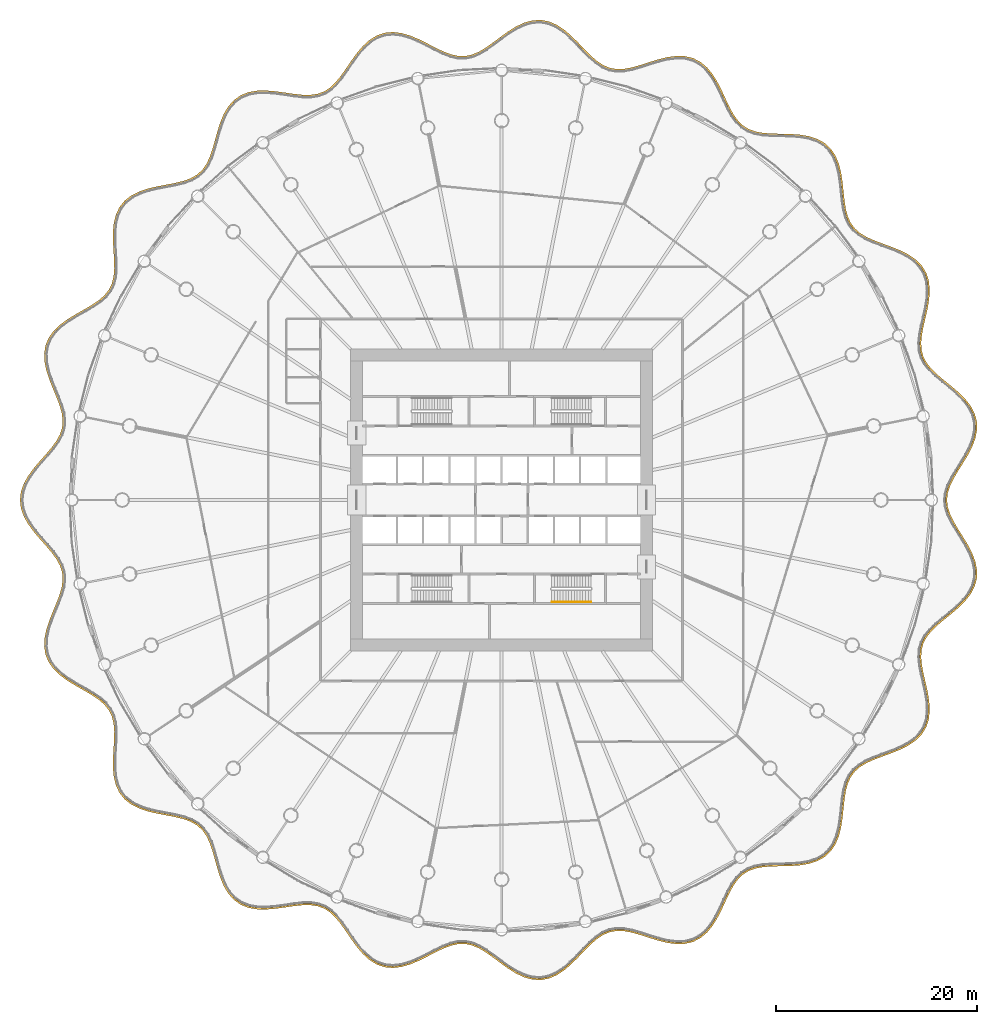
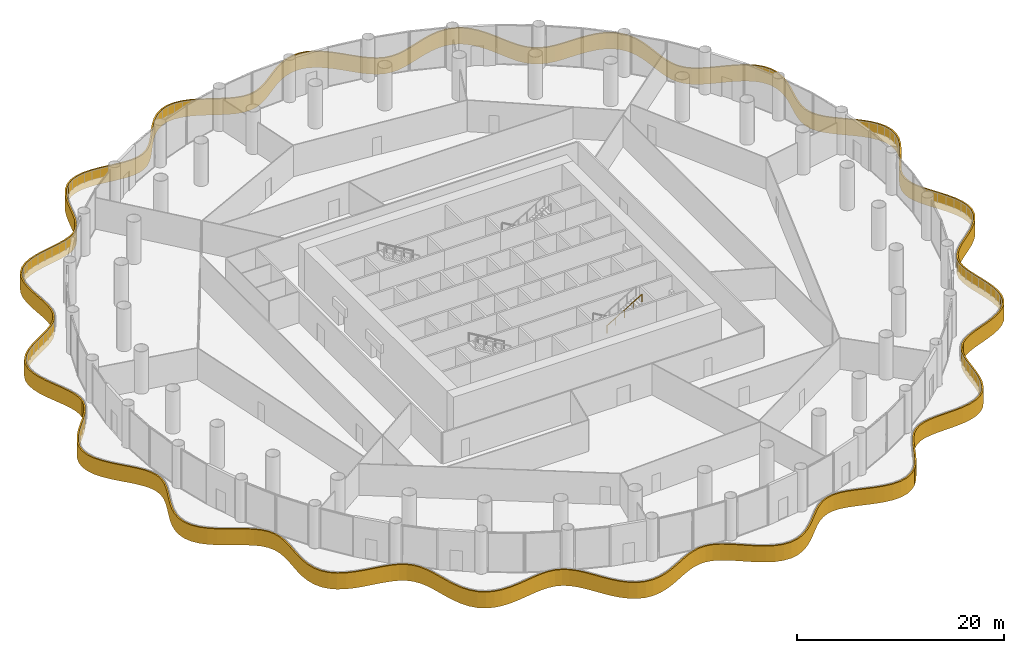
# One storey, part 31 of 35: 1 covering, 1 railing.
"""IFC4 building model written with IfcOpenShell, lengths in metres."""

from ifc_helpers import new_model, si_unit, direction, frame, origin, origin_2d, place, context, subcontext, project, spatial, polyline, circle, outline, extrude, material, layer, layer_set, type_object, element, save


model = new_model("IFC4")

# Units and contexts
model_context = context("Model", 3, precision=1e-05, world=origin(), true_north=direction((0.0, 1.0)))
body_context = subcontext(model_context, "Body", "Model", "MODEL_VIEW")
ifc_project = project(units=[si_unit("LENGTHUNIT", "METRE"), si_unit("AREAUNIT", "SQUARE_METRE"), si_unit("VOLUMEUNIT", "CUBIC_METRE"), si_unit("PLANEANGLEUNIT", "RADIAN"), si_unit("MASSUNIT", "GRAM", prefix="KILO")], contexts=[model_context])

# Site, building, storey
site_placement = place(None, origin())
site = spatial("IfcSite", under=ifc_project, at=site_placement, CompositionType="ELEMENT")
building_placement = place(site_placement, origin())
building = spatial("IfcBuilding", under=site, at=building_placement, Name="Corvane Civic Tower", CompositionType="ELEMENT")
storey_placement = place(building_placement, frame((0.0, 0.0, 22.0)))
storey = spatial("IfcBuildingStorey", under=building, at=storey_placement, Name="L04", CompositionType="ELEMENT", Elevation=22.0)

# Covering
ifc_material_1 = material(Name="Anodised aluminium brass", Category="aluminium")
ifc_layer = layer(ifc_material_1, 0.159912109375)
ifc_layer_set = layer_set([ifc_layer], Name="Anodised aluminium brass")
covering_type = type_object("IfcCoveringType", Name="PODIUM-COV-FASCIA-L04", PredefinedType="CLADDING", material=ifc_layer_set)
covering_placement = place(storey_placement, frame((0.0, 0.0, -0.800048828125)))
element("IfcCovering", 1, at=covering_placement, inside=storey, type_object=covering_type, Name="L04 ribbon fascia", PredefinedType="CLADDING", context=body_context, shape_type="SweptSolid", body=[
    extrude(outline(polyline([(0.67138671875, 46.57763671875), (-0.094482421875, 46.02880859375), (-0.836181640625, 45.472412109375), (-1.55517578125, 44.961669921875), (-2.253662109375, 44.543701171875), (-2.9384765625, 44.25439453125), (-3.619140625, 44.11279296875), (-4.311279296875, 44.12451171875), (-5.031005859375, 44.28271484375), (-5.78515625, 44.568115234375), (-6.57470703125, 44.94677734375), (-7.39501953125, 45.37158203125), (-8.23876953125, 45.790283203125), (-9.09619140625, 46.14990234375), (-9.955322265625, 46.40087890625), (-10.80322265625, 46.50244140625), (-11.623291015625, 46.42578125), (-12.3984375, 46.160888671875), (-13.115478515625, 45.718994140625), (-13.770263671875, 45.12841796875), (-14.369140625, 44.4287109375), (-14.9228515625, 43.667724609375), (-15.447509765625, 42.896240234375), (-15.961181640625, 42.1650390625), (-16.482666015625, 41.519775390625), (-17.02880859375, 40.995361328125), (-17.6162109375, 40.610595703125), (-18.260498046875, 40.367431640625), (-18.976318359375, 40.257568359375), (-19.767333984375, 40.261962890625), (-20.625, 40.3505859375), (-21.531494140625, 40.483154296875), (-22.46337890625, 40.612060546875), (-23.394775390625, 40.690185546875), (-24.29833984375, 40.67333984375), (-25.1474609375, 40.525390625), (-25.91796875, 40.221435546875), (-26.588134765625, 39.7529296875), (-27.146484375, 39.13134765625), (-27.595458984375, 38.382568359375), (-27.951171875, 37.541015625), (-28.238525390625, 36.647216796875), (-28.488037109375, 35.743408203125), (-28.733154296875, 34.872802734375), (-29.0068359375, 34.07421875), (-29.337890625, 33.376953125), (-29.74951171875, 32.797119140625), (-30.2578125, 32.33447265625), (-30.87548828125, 31.977783203125), (-31.603271484375, 31.709228515625), (-32.42626953125, 31.505126953125), (-33.31689453125, 31.333740234375), (-34.23876953125, 31.158447265625), (-35.15185546875, 30.94287109375), (-36.016357421875, 30.6533203125), (-36.794189453125, 30.26171875), (-37.452880859375, 29.750244140625), (-37.967041015625, 29.114501953125), (-38.3251953125, 28.36669921875), (-38.53564453125, 27.5283203125), (-38.62109375, 26.626708984375), (-38.616455078125, 25.69091796875), (-38.5634765625, 24.751708984375), (-38.50732421875, 23.839599609375), (-38.4931640625, 22.981201171875), (-38.55908203125, 22.197021484375), (-38.73388671875, 21.4970703125), (-39.036376953125, 20.87890625), (-39.475830078125, 20.32861328125), (-40.050048828125, 19.82958984375), (-40.741455078125, 19.36474609375), (-41.51611328125, 18.913330078125), (-42.3291015625, 18.453125), (-43.131591796875, 17.9619140625), (-43.87353515625, 17.419921875), (-44.510009765625, 16.812255859375), (-45.001220703125, 16.13037109375), (-45.31982421875, 15.376220703125), (-45.4541015625, 14.5625), (-45.414306640625, 13.70751953125), (-45.228271484375, 12.82958984375), (-44.936279296875, 11.94580078125), (-44.5869140625, 11.07080078125), (-44.232177734375, 10.2197265625), (-43.923828125, 9.40380859375), (-43.707275390625, 8.630859375), (-43.6162109375, 7.9033203125), (-43.670166015625, 7.214111328125), (-43.875244140625, 6.548095703125), (-44.2275390625, 5.889892578125), (-44.70751953125, 5.2275390625), (-45.27978515625, 4.552490234375), (-45.896728515625, 3.858154296875), (-46.5048828125, 3.138671875), (-47.05078125, 2.391357421875), (-47.484130859375, 1.615478515625), (-47.76416015625, 0.8154296875), (-47.861083984375, 0.0), (-47.76416015625, -0.8154296875), (-47.484130859375, -1.615478515625), (-47.05078125, -2.391357421875), (-46.5048828125, -3.138671875), (-45.896728515625, -3.858154296875), (-45.27978515625, -4.552490234375), (-44.70751953125, -5.2275390625), (-44.2275390625, -5.889892578125), (-43.875244140625, -6.548095703125), (-43.670166015625, -7.214111328125), (-43.6162109375, -7.9033203125), (-43.707275390625, -8.630859375), (-43.923828125, -9.40380859375), (-44.232177734375, -10.2197265625), (-44.5869140625, -11.07080078125), (-44.936279296875, -11.94580078125), (-45.228271484375, -12.82958984375), (-45.414306640625, -13.70751953125), (-45.4541015625, -14.5625), (-45.31982421875, -15.376220703125), (-45.001220703125, -16.13037109375), (-44.510009765625, -16.812255859375), (-43.87353515625, -17.419921875), (-43.131591796875, -17.9619140625), (-42.3291015625, -18.453125), (-41.51611328125, -18.913330078125), (-40.741455078125, -19.36474609375), (-40.050048828125, -19.82958984375), (-39.475830078125, -20.32861328125), (-39.036376953125, -20.87890625), (-38.73388671875, -21.4970703125), (-38.55908203125, -22.197021484375), (-38.4931640625, -22.981201171875), (-38.50732421875, -23.839599609375), (-38.5634765625, -24.751708984375), (-38.616455078125, -25.69091796875), (-38.62109375, -26.626708984375), (-38.53564453125, -27.5283203125), (-38.3251953125, -28.36669921875), (-37.967041015625, -29.114501953125), (-37.452880859375, -29.750244140625), (-36.794189453125, -30.26171875), (-36.016357421875, -30.6533203125), (-35.15185546875, -30.94287109375), (-34.23876953125, -31.158447265625), (-33.31689453125, -31.333740234375), (-32.42626953125, -31.505126953125), (-31.603271484375, -31.709228515625), (-30.87548828125, -31.977783203125), (-30.2578125, -32.33447265625), (-29.74951171875, -32.797119140625), (-29.337890625, -33.376953125), (-29.0068359375, -34.07421875), (-28.733154296875, -34.872802734375), (-28.488037109375, -35.743408203125), (-28.238525390625, -36.647216796875), (-27.951171875, -37.541015625), (-27.595458984375, -38.382568359375), (-27.146484375, -39.13134765625), (-26.588134765625, -39.7529296875), (-25.91796875, -40.221435546875), (-25.1474609375, -40.525390625), (-24.29833984375, -40.67333984375), (-23.394775390625, -40.690185546875), (-22.46337890625, -40.612060546875), (-21.531494140625, -40.483154296875), (-20.625, -40.3505859375), (-19.767333984375, -40.261962890625), (-18.976318359375, -40.257568359375), (-18.260498046875, -40.367431640625), (-17.6162109375, -40.610595703125), (-17.02880859375, -40.995361328125), (-16.482666015625, -41.519775390625), (-15.961181640625, -42.1650390625), (-15.447509765625, -42.896240234375), (-14.9228515625, -43.667724609375), (-14.369140625, -44.4287109375), (-13.770263671875, -45.12841796875), (-13.115478515625, -45.718994140625), (-12.3984375, -46.160888671875), (-11.623291015625, -46.42578125), (-10.80322265625, -46.50244140625), (-9.955322265625, -46.40087890625), (-9.09619140625, -46.14990234375), (-8.23876953125, -45.790283203125), (-7.39501953125, -45.37158203125), (-6.57470703125, -44.94677734375), (-5.78515625, -44.568115234375), (-5.031005859375, -44.28271484375), (-4.311279296875, -44.12451171875), (-3.619140625, -44.11279296875), (-2.9384765625, -44.25439453125), (-2.253662109375, -44.543701171875), (-1.55517578125, -44.961669921875), (-0.836181640625, -45.472412109375), (-0.094482421875, -46.02880859375), (0.67138671875, -46.57763671875), (1.460205078125, -47.064453125), (2.268310546875, -47.439697265625), (3.08837890625, -47.661376953125), (3.909423828125, -47.700927734375), (4.715087890625, -47.546875), (5.491455078125, -47.210693359375), (6.230712890625, -46.7216796875), (6.9326171875, -46.12060546875), (7.600830078125, -45.45703125), (8.242919921875, -44.783935546875), (8.868896484375, -44.154296875), (9.4892578125, -43.614990234375), (10.115478515625, -43.202392578125), (10.760986328125, -42.93505859375), (11.44091796875, -42.81689453125), (12.1708984375, -42.84033203125), (12.956298828125, -42.98681640625), (13.792236328125, -43.222900390625), (14.668212890625, -43.505126953125), (15.56787109375, -43.782958984375), (16.473388671875, -44.005126953125), (17.364990234375, -44.12451171875), (18.22265625, -44.101806640625), (19.02587890625, -43.910400390625), (19.75537109375, -43.539794921875), (20.39892578125, -43.001953125), (20.956298828125, -42.32421875), (21.438720703125, -41.5439453125), (21.8642578125, -40.70556640625), (22.2568359375, -39.8564453125), (22.642333984375, -39.044189453125), (23.047119140625, -38.3115234375), (23.493896484375, -37.69140625), (24.002197265625, -37.200927734375), (24.5888671875, -36.841796875), (25.266845703125, -36.603759765625), (26.03857421875, -36.468505859375), (26.891357421875, -36.408935546875), (27.802734375, -36.388427734375), (28.742431640625, -36.365234375), (29.676513671875, -36.296142578125), (30.57080078125, -36.14208984375), (31.393798828125, -35.8701171875), (32.11572265625, -35.45849609375), (32.71337890625, -34.901123046875), (33.17626953125, -34.209228515625), (33.508544921875, -33.406494140625), (33.73095703125, -32.5244140625), (33.87353515625, -31.59814453125), (33.97314453125, -30.664306640625), (34.069580078125, -29.760009765625), (34.2021484375, -28.9189453125), (34.405029296875, -28.166259765625), (34.703857421875, -27.515625), (35.116455078125, -26.9658203125), (35.65380859375, -26.50390625), (36.315185546875, -26.11279296875), (37.083740234375, -25.772216796875), (37.92822265625, -25.455810546875), (38.8076171875, -25.133544921875), (39.676513671875, -24.77587890625), (40.48974609375, -24.35595703125), (41.205078125, -23.8515625), (41.78662109375, -23.2490234375), (42.20703125, -22.547607421875), (42.455322265625, -21.7587890625), (42.54052734375, -20.903076171875), (42.48876953125, -20.0029296875), (42.338134765625, -19.081787109375), (42.134033203125, -18.162841796875), (41.92626953125, -17.268310546875), (41.76318359375, -16.418212890625), (41.68798828125, -15.627197265625), (41.731689453125, -14.901123046875), (41.912841796875, -14.23583984375), (42.240478515625, -13.616943359375), (42.710693359375, -13.028076171875), (43.3046875, -12.45458984375), (43.987548828125, -11.8828125), (44.71240234375, -11.29736328125), (45.42724609375, -10.684326171875), (46.07958984375, -10.0322265625), (46.62109375, -9.333251953125), (47.011474609375, -8.584716796875), (47.221435546875, -7.79248046875), (47.239990234375, -6.969970703125), (47.07763671875, -6.1337890625), (46.763427734375, -5.2978515625), (46.3388671875, -4.472412109375), (45.853515625, -3.664794921875), (45.361083984375, -2.880859375), (44.914794921875, -2.1240234375), (44.56201171875, -1.39453125), (44.337646484375, -0.689453125), (44.260986328125, 0.0), (44.337646484375, 0.689453125), (44.56201171875, 1.39453125), (44.914794921875, 2.1240234375), (45.361083984375, 2.880859375), (45.853515625, 3.664794921875), (46.3388671875, 4.472412109375), (46.763427734375, 5.2978515625), (47.07763671875, 6.1337890625), (47.239990234375, 6.969970703125), (47.221435546875, 7.79248046875), (47.011474609375, 8.584716796875), (46.62109375, 9.333251953125), (46.07958984375, 10.0322265625), (45.42724609375, 10.684326171875), (44.71240234375, 11.29736328125), (43.987548828125, 11.8828125), (43.3046875, 12.45458984375), (42.710693359375, 13.028076171875), (42.240478515625, 13.616943359375), (41.912841796875, 14.23583984375), (41.731689453125, 14.901123046875), (41.68798828125, 15.627197265625), (41.76318359375, 16.418212890625), (41.92626953125, 17.268310546875), (42.134033203125, 18.162841796875), (42.338134765625, 19.081787109375), (42.48876953125, 20.0029296875), (42.54052734375, 20.903076171875), (42.455322265625, 21.7587890625), (42.20703125, 22.547607421875), (41.78662109375, 23.2490234375), (41.205078125, 23.8515625), (40.48974609375, 24.35595703125), (39.676513671875, 24.77587890625), (38.8076171875, 25.133544921875), (37.92822265625, 25.455810546875), (37.083740234375, 25.772216796875), (36.315185546875, 26.11279296875), (35.65380859375, 26.50390625), (35.116455078125, 26.9658203125), (34.703857421875, 27.515625), (34.405029296875, 28.166259765625), (34.2021484375, 28.9189453125), (34.069580078125, 29.760009765625), (33.97314453125, 30.664306640625), (33.87353515625, 31.59814453125), (33.73095703125, 32.5244140625), (33.508544921875, 33.406494140625), (33.17626953125, 34.209228515625), (32.71337890625, 34.901123046875), (32.11572265625, 35.45849609375), (31.393798828125, 35.8701171875), (30.57080078125, 36.14208984375), (29.676513671875, 36.296142578125), (28.742431640625, 36.365234375), (27.802734375, 36.388427734375), (26.891357421875, 36.408935546875), (26.03857421875, 36.468505859375), (25.266845703125, 36.603759765625), (24.5888671875, 36.841796875), (24.002197265625, 37.200927734375), (23.493896484375, 37.69140625), (23.047119140625, 38.3115234375), (22.642333984375, 39.044189453125), (22.2568359375, 39.8564453125), (21.8642578125, 40.70556640625), (21.438720703125, 41.5439453125), (20.956298828125, 42.32421875), (20.39892578125, 43.001953125), (19.75537109375, 43.539794921875), (19.02587890625, 43.910400390625), (18.22265625, 44.101806640625), (17.364990234375, 44.12451171875), (16.473388671875, 44.005126953125), (15.56787109375, 43.782958984375), (14.668212890625, 43.505126953125), (13.792236328125, 43.222900390625), (12.956298828125, 42.98681640625), (12.1708984375, 42.84033203125), (11.44091796875, 42.81689453125), (10.760986328125, 42.93505859375), (10.115478515625, 43.202392578125), (9.4892578125, 43.614990234375), (8.868896484375, 44.154296875), (8.242919921875, 44.783935546875), (7.600830078125, 45.45703125), (6.9326171875, 46.12060546875), (6.230712890625, 46.7216796875), (5.491455078125, 47.210693359375), (4.715087890625, 47.546875), (3.909423828125, 47.700927734375), (3.08837890625, 47.661376953125), (2.268310546875, 47.439697265625), (1.460205078125, 47.064453125), (0.67138671875, 46.57763671875)]), holes=[polyline([(-0.741943359375, 45.34326171875), (0.0, 45.89990234375), (0.760009765625, 46.4443359375), (1.5361328125, 46.92333984375), (2.3232421875, 47.288818359375), (3.113525390625, 47.50244140625), (3.898193359375, 47.540283203125), (4.667724609375, 47.39306640625), (5.4150390625, 47.069580078125), (6.13427734375, 46.59375), (6.823974609375, 46.0029296875), (7.486572265625, 45.344970703125), (8.12841796875, 44.67236328125), (8.759521484375, 44.037353515625), (9.392333984375, 43.4873046875), (10.040283203125, 43.060302734375), (10.716064453125, 42.780517578125), (11.4296875, 42.656494140625), (12.188232421875, 42.680908203125), (12.99267578125, 42.830810546875), (13.838623046875, 43.06982421875), (14.71630859375, 43.3525390625), (15.610595703125, 43.628662109375), (16.503173828125, 43.84765625), (17.37353515625, 43.96435546875), (18.20166015625, 43.9423828125), (18.97021484375, 43.759033203125), (19.666748046875, 43.4052734375), (20.284912109375, 42.888671875), (20.825927734375, 42.23095703125), (21.299072265625, 41.465576171875), (21.72021484375, 40.6357421875), (22.112060546875, 39.78857421875), (22.5, 38.97119140625), (22.91162109375, 38.225830078125), (23.37255859375, 37.586181640625), (23.90380859375, 37.07373046875), (24.519775390625, 36.696533203125), (25.226318359375, 36.448486328125), (26.01904296875, 36.3095703125), (26.884033203125, 36.2490234375), (27.799072265625, 36.228515625), (28.734619140625, 36.205322265625), (29.656982421875, 36.13720703125), (30.531982421875, 35.986328125), (31.328369140625, 35.72314453125), (32.020263671875, 35.328857421875), (32.5908203125, 34.796875), (33.034423828125, 34.133544921875), (33.356201171875, 33.356201171875), (33.573974609375, 32.49267578125), (33.71484375, 31.577392578125), (33.81396484375, 30.647216796875), (33.910888671875, 29.739013671875), (34.04541015625, 28.885498046875), (34.254150390625, 28.111572265625), (34.565673828125, 27.433349609375), (34.9990234375, 26.855712890625), (35.560302734375, 26.373291015625), (36.24169921875, 25.970458984375), (37.023193359375, 25.6240234375), (37.87255859375, 25.3056640625), (38.74951171875, 24.984375), (39.609130859375, 24.630615234375), (40.406494140625, 24.21875), (41.1005859375, 23.7294921875), (41.65869140625, 23.151123046875), (42.06005859375, 22.4814453125), (42.2978515625, 21.7265625), (42.380126953125, 20.899658203125), (42.32958984375, 20.0205078125), (42.180908203125, 19.112060546875), (41.97802734375, 18.1982421875), (41.769775390625, 17.301513671875), (41.604736328125, 16.44091796875), (41.527587890625, 15.6298828125), (41.572998046875, 14.875), (41.76318359375, 14.1767578125), (42.10595703125, 13.52880859375), (42.592041015625, 12.920166015625), (43.19775390625, 12.335693359375), (43.885986328125, 11.75927734375), (44.610107421875, 11.17431640625), (45.318359375, 10.56689453125), (45.959228515625, 9.92626953125), (46.48583984375, 9.24658203125), (46.861328125, 8.526611328125), (47.06201171875, 7.77001953125), (47.07958984375, 6.983642578125), (46.923095703125, 6.177490234375), (46.616943359375, 5.36279296875), (46.198974609375, 4.55029296875), (45.717041015625, 3.74853515625), (45.224365234375, 2.964111328125), (44.773681640625, 2.19970703125), (44.4130859375, 1.453857421875), (44.180419921875, 0.722900390625), (44.10009765625, 0.0), (44.180419921875, -0.722900390625), (44.4130859375, -1.453857421875), (44.773681640625, -2.19970703125), (45.224365234375, -2.964111328125), (45.717041015625, -3.74853515625), (46.198974609375, -4.55029296875), (46.616943359375, -5.36279296875), (46.923095703125, -6.177490234375), (47.07958984375, -6.983642578125), (47.06201171875, -7.77001953125), (46.861328125, -8.526611328125), (46.48583984375, -9.24658203125), (45.959228515625, -9.92626953125), (45.318359375, -10.56689453125), (44.610107421875, -11.17431640625), (43.885986328125, -11.75927734375), (43.19775390625, -12.335693359375), (42.592041015625, -12.920166015625), (42.10595703125, -13.52880859375), (41.76318359375, -14.1767578125), (41.572998046875, -14.875), (41.527587890625, -15.6298828125), (41.604736328125, -16.44091796875), (41.769775390625, -17.301513671875), (41.97802734375, -18.1982421875), (42.180908203125, -19.112060546875), (42.32958984375, -20.0205078125), (42.380126953125, -20.899658203125), (42.2978515625, -21.7265625), (42.06005859375, -22.4814453125), (41.65869140625, -23.151123046875), (41.1005859375, -23.7294921875), (40.406494140625, -24.21875), (39.609130859375, -24.630615234375), (38.74951171875, -24.984375), (37.87255859375, -25.3056640625), (37.023193359375, -25.6240234375), (36.24169921875, -25.970458984375), (35.560302734375, -26.373291015625), (34.9990234375, -26.855712890625), (34.565673828125, -27.433349609375), (34.254150390625, -28.111572265625), (34.04541015625, -28.885498046875), (33.910888671875, -29.739013671875), (33.81396484375, -30.647216796875), (33.71484375, -31.577392578125), (33.573974609375, -32.49267578125), (33.356201171875, -33.356201171875), (33.034423828125, -34.133544921875), (32.5908203125, -34.796875), (32.020263671875, -35.328857421875), (31.328369140625, -35.72314453125), (30.531982421875, -35.986328125), (29.656982421875, -36.13720703125), (28.734619140625, -36.205322265625), (27.799072265625, -36.228515625), (26.884033203125, -36.2490234375), (26.01904296875, -36.3095703125), (25.226318359375, -36.448486328125), (24.519775390625, -36.696533203125), (23.90380859375, -37.07373046875), (23.37255859375, -37.586181640625), (22.91162109375, -38.225830078125), (22.5, -38.97119140625), (22.112060546875, -39.78857421875), (21.72021484375, -40.6357421875), (21.299072265625, -41.465576171875), (20.825927734375, -42.23095703125), (20.284912109375, -42.888671875), (19.666748046875, -43.4052734375), (18.97021484375, -43.759033203125), (18.20166015625, -43.9423828125), (17.37353515625, -43.96435546875), (16.503173828125, -43.84765625), (15.610595703125, -43.628662109375), (14.71630859375, -43.3525390625), (13.838623046875, -43.06982421875), (12.99267578125, -42.830810546875), (12.188232421875, -42.680908203125), (11.4296875, -42.656494140625), (10.716064453125, -42.780517578125), (10.040283203125, -43.060302734375), (9.392333984375, -43.4873046875), (8.759521484375, -44.037353515625), (8.12841796875, -44.67236328125), (7.486572265625, -45.344970703125), (6.823974609375, -46.0029296875), (6.13427734375, -46.59375), (5.4150390625, -47.069580078125), (4.667724609375, -47.39306640625), (3.898193359375, -47.540283203125), (3.113525390625, -47.50244140625), (2.3232421875, -47.288818359375), (1.5361328125, -46.92333984375), (0.760009765625, -46.4443359375), (0.0, -45.89990234375), (-0.741943359375, -45.34326171875), (-1.467529296875, -44.82763671875), (-2.18115234375, -44.400634765625), (-2.890625, -44.100830078125), (-3.60400390625, -43.95263671875), (-4.330078125, -43.96484375), (-5.07666015625, -44.12890625), (-5.84814453125, -44.4208984375), (-6.64599609375, -44.803466796875), (-7.46728515625, -45.228759765625), (-8.305419921875, -45.644775390625), (-9.149658203125, -45.998779296875), (-9.987548828125, -46.24365234375), (-10.805419921875, -46.341552734375), (-11.589599609375, -46.268310546875), (-12.329833984375, -46.015380859375), (-13.01904296875, -45.59033203125), (-13.655517578125, -45.016357421875), (-14.243408203125, -44.32958984375), (-14.7919921875, -43.57568359375), (-15.31591796875, -42.80517578125), (-15.83349609375, -42.068603515625), (-16.364501953125, -41.411376953125), (-16.9287109375, -40.86962890625), (-17.543212890625, -40.467041015625), (-18.2197265625, -40.2119140625), (-18.964599609375, -40.097412109375), (-19.776123046875, -40.10205078125), (-20.644775390625, -40.19189453125), (-21.553955078125, -40.32470703125), (-22.481201171875, -40.452880859375), (-23.39990234375, -40.530029296875), (-24.282958984375, -40.513671875), (-25.10400390625, -40.37060546875), (-25.841796875, -40.07958984375), (-26.4814453125, -39.63232421875), (-27.01708984375, -39.035888671875), (-27.452392578125, -38.309814453125), (-27.801025390625, -37.4853515625), (-28.085205078125, -36.601318359375), (-28.333984375, -35.700439453125), (-28.580322265625, -34.8251953125), (-28.8583984375, -34.013671875), (-29.199462890625, -33.295654296875), (-29.62890625, -32.6904296875), (-30.162841796875, -32.20458984375), (-30.807373046875, -31.832275390625), (-31.55615234375, -31.55615234375), (-32.391845703125, -31.348876953125), (-33.286865234375, -31.176513671875), (-34.205322265625, -31.001953125), (-35.10791015625, -30.788818359375), (-35.95458984375, -30.505126953125), (-36.708251953125, -30.125732421875), (-37.340087890625, -29.63525390625), (-37.830810546875, -29.028564453125), (-38.174072265625, -28.31201171875), (-38.37744140625, -27.5009765625), (-38.461181640625, -26.619384765625), (-38.45654296875, -25.69580078125), (-38.40380859375, -24.76123046875), (-38.347412109375, -23.845947265625), (-38.3330078125, -22.975830078125), (-38.400634765625, -22.170654296875), (-38.582763671875, -21.44189453125), (-38.900390625, -20.792724609375), (-39.35986328125, -20.21728515625), (-39.95263671875, -19.702392578125), (-40.656494140625, -19.22900390625), (-41.436279296875, -18.774658203125), (-42.248046875, -18.315185546875), (-43.04248046875, -17.828857421875), (-43.770751953125, -17.296875), (-44.388671875, -16.706787109375), (-44.86083984375, -16.051513671875), (-45.1650390625, -15.33154296875), (-45.29345703125, -14.552978515625), (-45.255126953125, -13.72802734375), (-45.073486328125, -12.871337890625), (-44.785888671875, -12.00048828125), (-44.438720703125, -11.13134765625), (-44.08349609375, -10.27880859375), (-43.771728515625, -9.453857421875), (-43.550048828125, -8.66259765625), (-43.45556640625, -7.906982421875), (-43.511962890625, -7.183837890625), (-43.726806640625, -6.486328125), (-44.091552734375, -5.8046875), (-44.58154296875, -5.128662109375), (-45.158935546875, -4.44775390625), (-45.77587890625, -3.75341796875), (-46.379150390625, -3.039794921875), (-46.915771484375, -2.304931640625), (-47.337646484375, -1.549560546875), (-47.607421875, -0.779052734375), (-47.699951171875, 0.0), (-47.607421875, 0.779052734375), (-47.337646484375, 1.549560546875), (-46.915771484375, 2.304931640625), (-46.379150390625, 3.039794921875), (-45.77587890625, 3.75341796875), (-45.158935546875, 4.44775390625), (-44.58154296875, 5.128662109375), (-44.091552734375, 5.8046875), (-43.726806640625, 6.486328125), (-43.511962890625, 7.183837890625), (-43.45556640625, 7.906982421875), (-43.550048828125, 8.66259765625), (-43.771728515625, 9.453857421875), (-44.08349609375, 10.27880859375), (-44.438720703125, 11.13134765625), (-44.785888671875, 12.00048828125), (-45.073486328125, 12.871337890625), (-45.255126953125, 13.72802734375), (-45.29345703125, 14.552978515625), (-45.1650390625, 15.33154296875), (-44.86083984375, 16.051513671875), (-44.388671875, 16.706787109375), (-43.770751953125, 17.296875), (-43.04248046875, 17.828857421875), (-42.248046875, 18.315185546875), (-41.436279296875, 18.774658203125), (-40.656494140625, 19.22900390625), (-39.95263671875, 19.702392578125), (-39.35986328125, 20.21728515625), (-38.900390625, 20.792724609375), (-38.582763671875, 21.44189453125), (-38.400634765625, 22.170654296875), (-38.3330078125, 22.975830078125), (-38.347412109375, 23.845947265625), (-38.40380859375, 24.76123046875), (-38.45654296875, 25.69580078125), (-38.461181640625, 26.619384765625), (-38.37744140625, 27.5009765625), (-38.174072265625, 28.31201171875), (-37.830810546875, 29.028564453125), (-37.340087890625, 29.63525390625), (-36.708251953125, 30.125732421875), (-35.95458984375, 30.505126953125), (-35.10791015625, 30.788818359375), (-34.205322265625, 31.001953125), (-33.286865234375, 31.176513671875), (-32.391845703125, 31.348876953125), (-31.55615234375, 31.55615234375), (-30.807373046875, 31.832275390625), (-30.162841796875, 32.20458984375), (-29.62890625, 32.6904296875), (-29.199462890625, 33.295654296875), (-28.8583984375, 34.013671875), (-28.580322265625, 34.8251953125), (-28.333984375, 35.700439453125), (-28.085205078125, 36.601318359375), (-27.801025390625, 37.4853515625), (-27.452392578125, 38.309814453125), (-27.01708984375, 39.035888671875), (-26.4814453125, 39.63232421875), (-25.841796875, 40.07958984375), (-25.10400390625, 40.37060546875), (-24.282958984375, 40.513671875), (-23.39990234375, 40.530029296875), (-22.481201171875, 40.452880859375), (-21.553955078125, 40.32470703125), (-20.644775390625, 40.19189453125), (-19.776123046875, 40.10205078125), (-18.964599609375, 40.097412109375), (-18.2197265625, 40.2119140625), (-17.543212890625, 40.467041015625), (-16.9287109375, 40.86962890625), (-16.364501953125, 41.411376953125), (-15.83349609375, 42.068603515625), (-15.31591796875, 42.80517578125), (-14.7919921875, 43.57568359375), (-14.243408203125, 44.32958984375), (-13.655517578125, 45.016357421875), (-13.01904296875, 45.59033203125), (-12.329833984375, 46.015380859375), (-11.589599609375, 46.268310546875), (-10.805419921875, 46.341552734375), (-9.987548828125, 46.24365234375), (-9.149658203125, 45.998779296875), (-8.305419921875, 45.644775390625), (-7.46728515625, 45.228759765625), (-6.64599609375, 44.803466796875), (-5.84814453125, 44.4208984375), (-5.07666015625, 44.12890625), (-4.330078125, 43.96484375), (-3.60400390625, 43.95263671875), (-2.890625, 44.100830078125), (-2.18115234375, 44.400634765625), (-1.467529296875, 44.82763671875), (-0.741943359375, 45.34326171875)])]), origin(), (0.0, 0.0, 1.0), 1.900146484375),
])

# Railing
ifc_material_2 = material(Name="Steel ASTM A572 Gr 50", Category="steel")
railing_type = type_object("IfcRailingType", Name="ST-HANDRAIL-900", PredefinedType="HANDRAIL", material=ifc_material_2)
railing_placement = place(storey_placement, frame((4.97998046875, -10.14990234375, 2.666748046875)))
element("IfcRailing", 2, at=railing_placement, inside=storey, type_object=railing_type, Name="L04 ST2 stair handrail 2", PredefinedType="HANDRAIL", context=body_context, shape_type="SweptSolid", body=[
    extrude(circle(Radius=0.02392578125, at=origin_2d()), frame((0.0, 0.0, 0.8759765625), z_axis=(0.859296244711, 0.0, 0.511478214419), x_axis=(0.0, 1.0, 0.0)), (0.0, 0.0, 1.0), 4.561767578125),
    extrude(circle(Radius=0.02099609375, at=origin_2d()), origin(), (0.0, 0.0, 1.0), 0.851806640625),
    extrude(circle(Radius=0.02099609375, at=origin_2d()), frame((0.97998046875, 0.0, 0.583251953125)), (0.0, 0.0, 1.0), 0.851806640625),
    extrude(circle(Radius=0.02099609375, at=origin_2d()), frame((1.9599609375, 0.0, 1.16650390625)), (0.0, 0.0, 1.0), 0.851806640625),
    extrude(circle(Radius=0.02099609375, at=origin_2d()), frame((2.93994140625, 0.0, 1.75)), (0.0, 0.0, 1.0), 0.851806640625),
    extrude(circle(Radius=0.02099609375, at=origin_2d()), frame((3.919921875, 0.0, 2.333251953125)), (0.0, 0.0, 1.0), 0.851806640625),
])

save(model, "model.ifc")
